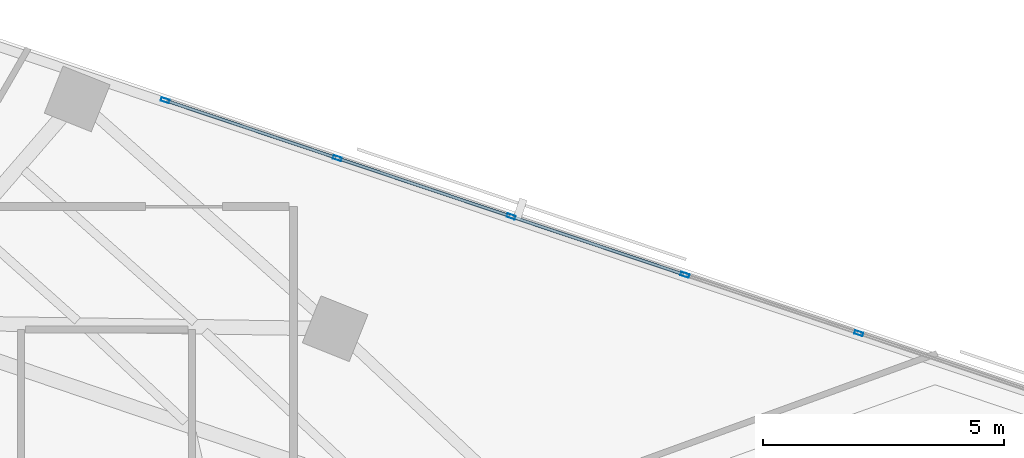
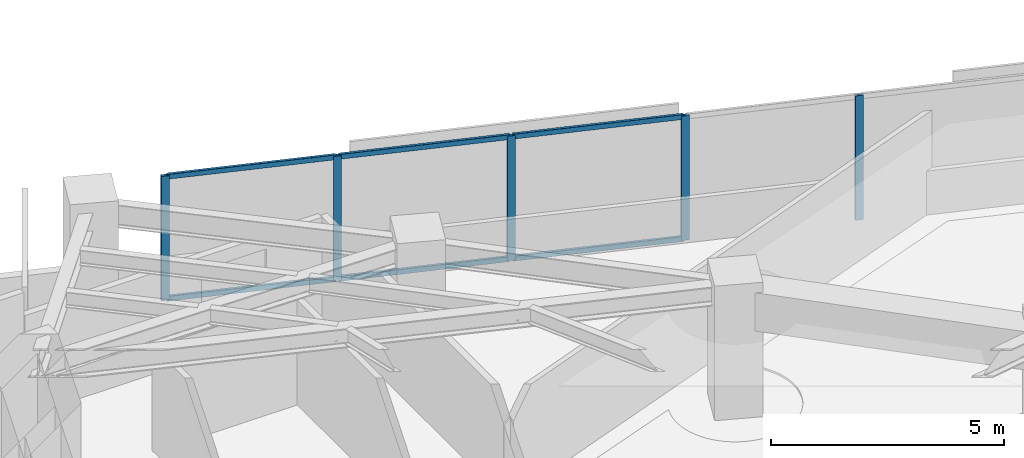
# One storey, part 4 of 14: 11 members, 1 element without a shape of its own.
"""IFC4 building model written with IfcOpenShell, lengths in metres."""

from ifc_helpers import new_model, si_unit, direction, frame, origin, origin_2d, place, context, subcontext, project, spatial, hollow_rectangle, extrude, material, material_profile, profile_set, type_object, element, aggregate, save


model = new_model("IFC4")

# Units and contexts
model_context = context("Model", 3, precision=1e-05, world=origin(), true_north=direction((0.0, 1.0)))
body_context = subcontext(model_context, "Body", "Model", "MODEL_VIEW")
ifc_project = project(units=[si_unit("LENGTHUNIT", "METRE"), si_unit("AREAUNIT", "SQUARE_METRE"), si_unit("VOLUMEUNIT", "CUBIC_METRE"), si_unit("PLANEANGLEUNIT", "RADIAN"), si_unit("MASSUNIT", "GRAM", prefix="KILO")], contexts=[model_context])

# Site, building, storey
site_placement = place(None, origin())
site = spatial("IfcSite", under=ifc_project, at=site_placement, CompositionType="ELEMENT")
building_placement = place(site_placement, origin())
building = spatial("IfcBuilding", under=site, at=building_placement, Name="Narakoshi Arena Tower", CompositionType="ELEMENT")
storey_placement = place(building_placement, frame((0.0, 0.0, 182.6201171875)))
storey = spatial("IfcBuildingStorey", under=building, at=storey_placement, Name="L49", CompositionType="ELEMENT", Elevation=182.6201171875)

# Curtain wall, members
ifc_material = material(Name="Anodised bronze aluminium 6063-T6", Category="aluminium")
curtain_wall_type = type_object("IfcCurtainWallType", Name="CW-HYP-MID", PredefinedType="NOTDEFINED", material=ifc_material)
curtain_wall_placement = place(storey_placement, origin())
curtain_wall = element("IfcCurtainWall", 1, at=curtain_wall_placement, inside=storey, type_object=curtain_wall_type, Name="L49 Folded Hypotenuse Curtain Wall 1-1", PredefinedType="NOTDEFINED")
ifc_material_profile_1 = material_profile(ifc_material, hollow_rectangle(XDim=0.074951171875, YDim=0.179931640625, WallThickness=0.00390625, OuterFilletRadius=0.0048828125, at=origin_2d()), Name="MUL180x75x4")
ifc_profile_set_1 = profile_set([ifc_material_profile_1], Name="Anodised bronze aluminium 6063-T6")
member_type_1 = type_object("IfcMemberType", Name="MEM-MUL-180", PredefinedType="MULLION", material=ifc_profile_set_1)
member_1_placement = place(storey_placement, frame((105.783447265625, 56.272705078125, 0.0), z_axis=(0.0, 0.0, 1.0), x_axis=(-0.318260960253, -0.948003144077, 0.0)))
member_1 = element("IfcMember", 2, at=member_1_placement, type_object=member_type_1, Name="CW-02 mullion 4", PredefinedType="MULLION", context=body_context, shape_type="SweptSolid", body=[
    extrude(hollow_rectangle(XDim=0.074951171875, YDim=0.179931640625, WallThickness=0.00390625, OuterFilletRadius=0.0048828125, at=origin_2d()), origin(), (0.0, 0.0, 1.0), 3.259765625),
])
member_2_placement = place(storey_placement, frame((102.176025390625, 57.48388671875, 0.0), z_axis=(0.0, 0.0, 1.0), x_axis=(-0.318260960253, -0.948003144077, 0.0)))
member_2 = element("IfcMember", 3, at=member_2_placement, type_object=member_type_1, Name="CW-02 mullion 5", PredefinedType="MULLION", context=body_context, shape_type="SweptSolid", body=[
    extrude(hollow_rectangle(XDim=0.074951171875, YDim=0.179931640625, WallThickness=0.00390625, OuterFilletRadius=0.0048828125, at=origin_2d()), origin(), (0.0, 0.0, 1.0), 3.259765625),
])
member_3_placement = place(storey_placement, frame((98.568359375, 58.695068359375, 0.0), z_axis=(0.0, 0.0, 1.0), x_axis=(-0.318260960253, -0.948003144077, 0.0)))
member_3 = element("IfcMember", 4, at=member_3_placement, type_object=member_type_1, Name="CW-02 mullion 6", PredefinedType="MULLION", context=body_context, shape_type="SweptSolid", body=[
    extrude(hollow_rectangle(XDim=0.074951171875, YDim=0.179931640625, WallThickness=0.00390625, OuterFilletRadius=0.0048828125, at=origin_2d()), origin(), (0.0, 0.0, 1.0), 3.259765625),
])
member_4_placement = place(storey_placement, frame((94.960693359375, 59.90625, 0.0), z_axis=(0.0, 0.0, 1.0), x_axis=(-0.318260960253, -0.948003144077, 0.0)))
member_4 = element("IfcMember", 5, at=member_4_placement, type_object=member_type_1, Name="CW-02 mullion 7", PredefinedType="MULLION", context=body_context, shape_type="SweptSolid", body=[
    extrude(hollow_rectangle(XDim=0.074951171875, YDim=0.179931640625, WallThickness=0.00390625, OuterFilletRadius=0.0048828125, at=origin_2d()), origin(), (0.0, 0.0, 1.0), 3.259765625),
])
member_5_placement = place(storey_placement, frame((91.388671875, 61.10546875, 0.0), z_axis=(0.0, 0.0, 1.0), x_axis=(-0.318260960253, -0.948003144077, 0.0)))
member_5 = element("IfcMember", 6, at=member_5_placement, type_object=member_type_1, Name="CW-02 mullion 8", PredefinedType="MULLION", context=body_context, shape_type="SweptSolid", body=[
    extrude(hollow_rectangle(XDim=0.074951171875, YDim=0.179931640625, WallThickness=0.00390625, OuterFilletRadius=0.0048828125, at=origin_2d()), origin(), (0.0, 0.0, 1.0), 3.259765625),
])
ifc_material_profile_2 = material_profile(ifc_material, hollow_rectangle(XDim=0.06494140625, YDim=0.1298828125, WallThickness=0.00390625, OuterFilletRadius=0.0048828125, at=origin_2d()), Name="TRN130x65x4")
ifc_profile_set_2 = profile_set([ifc_material_profile_2], Name="Anodised bronze aluminium 6063-T6")
member_type_2 = type_object("IfcMemberType", Name="MEM-TRN-130", PredefinedType="USERDEFINED", material=ifc_profile_set_2)
member_6_placement = place(storey_placement, frame((102.140380859375, 57.495849609375, 0.032470703125), z_axis=(-0.948000451231, 0.318268981314, 0.0), x_axis=(-0.318268981314, -0.948000451231, 0.0)))
member_6 = element("IfcMember", 7, at=member_6_placement, type_object=member_type_2, Name="CW-02 transom 5.1", ObjectType="TRANSOM", PredefinedType="USERDEFINED", context=body_context, shape_type="SweptSolid", body=[
    extrude(hollow_rectangle(XDim=0.06494140625, YDim=0.1298828125, WallThickness=0.00390625, OuterFilletRadius=0.0048828125, at=origin_2d()), origin(), (0.0, 0.0, 1.0), 3.73046875),
])
member_7_placement = place(storey_placement, frame((102.140380859375, 57.495849609375, 3.227294921875), z_axis=(-0.948000451231, 0.318268981314, 0.0), x_axis=(-0.318268981314, -0.948000451231, 0.0)))
member_7 = element("IfcMember", 8, at=member_7_placement, type_object=member_type_2, Name="CW-02 transom 5.2", ObjectType="TRANSOM", PredefinedType="USERDEFINED", context=body_context, shape_type="SweptSolid", body=[
    extrude(hollow_rectangle(XDim=0.06494140625, YDim=0.1298828125, WallThickness=0.00390625, OuterFilletRadius=0.0048828125, at=origin_2d()), origin(), (0.0, 0.0, 1.0), 3.73046875),
])
member_8_placement = place(storey_placement, frame((98.53271484375, 58.70703125, 0.032470703125), z_axis=(-0.948000451231, 0.318268981314, 0.0), x_axis=(-0.318268981314, -0.948000451231, 0.0)))
member_8 = element("IfcMember", 9, at=member_8_placement, type_object=member_type_2, Name="CW-02 transom 6.1", ObjectType="TRANSOM", PredefinedType="USERDEFINED", context=body_context, shape_type="SweptSolid", body=[
    extrude(hollow_rectangle(XDim=0.06494140625, YDim=0.1298828125, WallThickness=0.00390625, OuterFilletRadius=0.0048828125, at=origin_2d()), origin(), (0.0, 0.0, 1.0), 3.73046875),
])
member_9_placement = place(storey_placement, frame((98.53271484375, 58.70703125, 3.227294921875), z_axis=(-0.948000451231, 0.318268981314, 0.0), x_axis=(-0.318268981314, -0.948000451231, 0.0)))
member_9 = element("IfcMember", 10, at=member_9_placement, type_object=member_type_2, Name="CW-02 transom 6.2", ObjectType="TRANSOM", PredefinedType="USERDEFINED", context=body_context, shape_type="SweptSolid", body=[
    extrude(hollow_rectangle(XDim=0.06494140625, YDim=0.1298828125, WallThickness=0.00390625, OuterFilletRadius=0.0048828125, at=origin_2d()), origin(), (0.0, 0.0, 1.0), 3.73046875),
])
member_10_placement = place(storey_placement, frame((94.92529296875, 59.918212890625, 0.032470703125), z_axis=(-0.948006826737, 0.31824999051, 0.0), x_axis=(-0.31824999051, -0.948006826737, 0.0)))
member_10 = element("IfcMember", 11, at=member_10_placement, type_object=member_type_2, Name="CW-02 transom 7.1", ObjectType="TRANSOM", PredefinedType="USERDEFINED", context=body_context, shape_type="SweptSolid", body=[
    extrude(hollow_rectangle(XDim=0.06494140625, YDim=0.1298828125, WallThickness=0.00390625, OuterFilletRadius=0.0048828125, at=origin_2d()), origin(), (0.0, 0.0, 1.0), 3.69287109375),
])
member_11_placement = place(storey_placement, frame((94.92529296875, 59.918212890625, 3.227294921875), z_axis=(-0.948006826737, 0.31824999051, 0.0), x_axis=(-0.31824999051, -0.948006826737, 0.0)))
member_11 = element("IfcMember", 12, at=member_11_placement, type_object=member_type_2, Name="CW-02 transom 7.2", ObjectType="TRANSOM", PredefinedType="USERDEFINED", context=body_context, shape_type="SweptSolid", body=[
    extrude(hollow_rectangle(XDim=0.06494140625, YDim=0.1298828125, WallThickness=0.00390625, OuterFilletRadius=0.0048828125, at=origin_2d()), origin(), (0.0, 0.0, 1.0), 3.69287109375),
])
aggregate(curtain_wall, [member_1, member_2, member_3, member_4, member_5, member_6, member_7, member_8, member_9, member_10, member_11])

save(model, "model.ifc")
